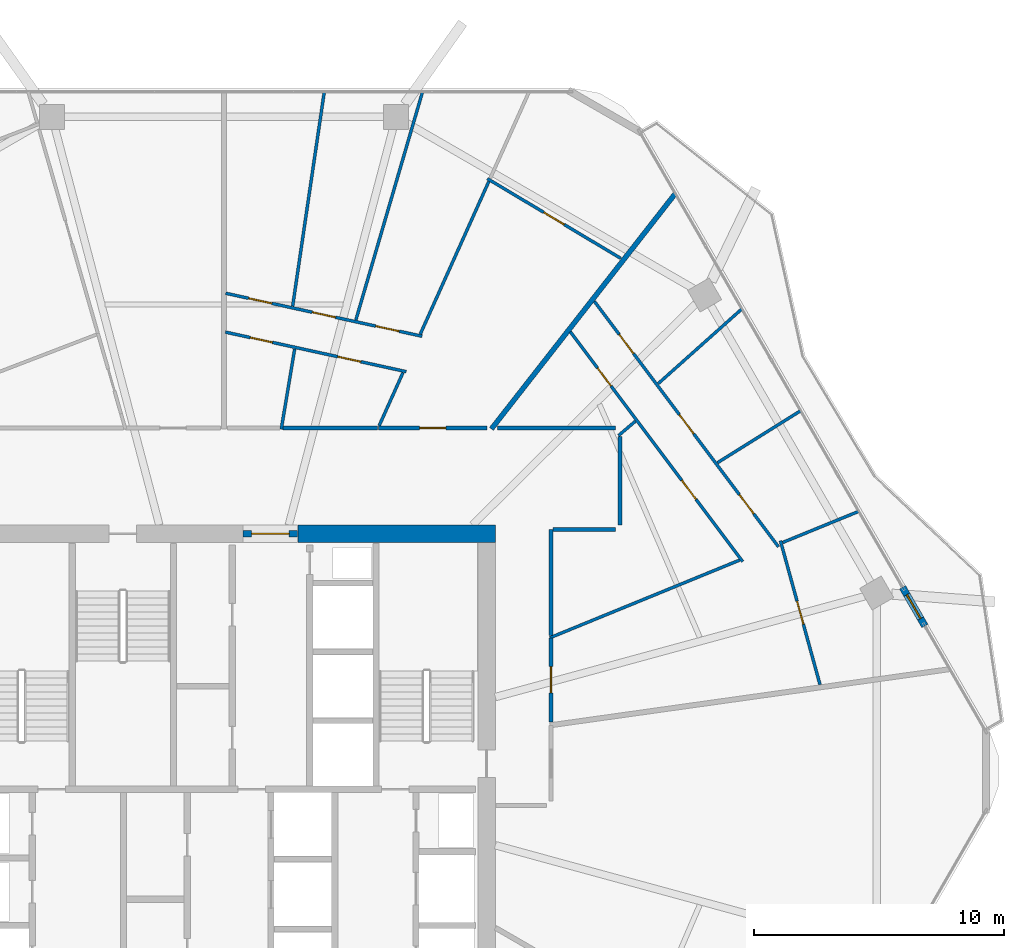
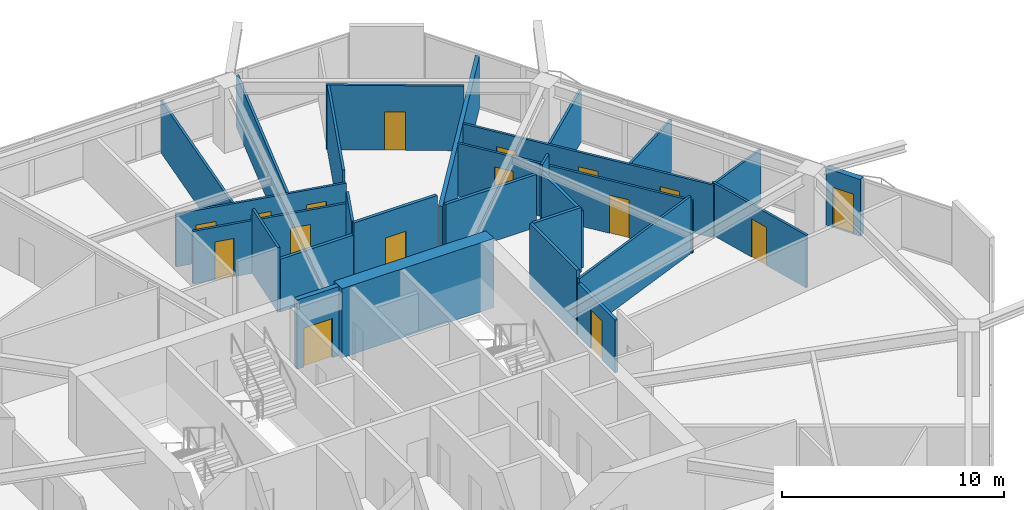
# One storey, part 22 of 26: 27 walls, 16 doors, 16 openings.
"""IFC4 building model written with IfcOpenShell, lengths in metres."""

from ifc_helpers import new_model, si_unit, direction, frame, frame_2d, origin, place, context, subcontext, project, spatial, rectangle, extrude, material, layer, layer_set, type_object, element, fill, save


model = new_model("IFC4")

# Units and contexts
model_context = context("Model", 3, precision=1e-05, world=origin(), true_north=direction((0.0, 1.0)))
body_context = subcontext(model_context, "Body", "Model", "MODEL_VIEW")
ifc_project = project(units=[si_unit("LENGTHUNIT", "METRE"), si_unit("AREAUNIT", "SQUARE_METRE"), si_unit("VOLUMEUNIT", "CUBIC_METRE"), si_unit("PLANEANGLEUNIT", "RADIAN"), si_unit("MASSUNIT", "GRAM", prefix="KILO")], contexts=[model_context])

# Site, building, storey
site_placement = place(None, origin())
site = spatial("IfcSite", under=ifc_project, at=site_placement, CompositionType="ELEMENT")
building_placement = place(site_placement, origin())
building = spatial("IfcBuilding", under=site, at=building_placement, Name="Zuhravey Tower", CompositionType="ELEMENT")
storey_placement = place(building_placement, frame((0.0, 0.0, 158.0)))
storey = spatial("IfcBuildingStorey", under=building, at=storey_placement, Name="L39", CompositionType="ELEMENT", Elevation=158.0)

# Wall
ifc_material_1 = material(Name="Concrete C60/75", Category="concrete")
ifc_layer_1 = layer(ifc_material_1, 0.699951171875)
ifc_layer_set_1 = layer_set([ifc_layer_1], Name="Concrete C60/75")
wall_type_1 = type_object("IfcWallType", Name="Core Shear Wall 700", PredefinedType="SHEAR", material=ifc_layer_set_1)
wall_1_placement = place(storey_placement, frame((46.85009765625, 41.5, 0.0), z_axis=(0.0, 0.0, 1.0), x_axis=(-1.0, 0.0, 0.0)))
element("IfcWall", 1, at=wall_1_placement, inside=storey, type_object=wall_type_1, Name="L39 North-East Core Shear Wall CW70", PredefinedType="SHEAR", context=body_context, shape_type="SweptSolid", body=[
    extrude(rectangle(XDim=7.900146484375, YDim=0.699951171875, at=frame_2d((3.9501953125, 0.0))), origin(), (0.0, 0.0, 1.0), 3.800048828125),
])

# Wall, opening, door
ifc_material_2 = material(Name="Gypsum fire-rated stud partition")
ifc_layer_2 = layer(ifc_material_2, 0.159912109375)
ifc_layer_set_2 = layer_set([ifc_layer_2], Name="Gypsum fire-rated stud partition")
wall_type_2 = type_object("IfcWallType", Name="Corridor Fire Partition 160", PredefinedType="PARTITIONING", material=ifc_layer_set_2)
wall_2_placement = place(storey_placement, frame((49.080078125, 33.97509765625, 0.0), z_axis=(0.0, 0.0, 1.0), x_axis=(0.0, 1.0, 0.0)))
wall_2 = element("IfcWall", 2, at=wall_2_placement, inside=storey, type_object=wall_type_2, Name="L39 IW16 Partition 023", PredefinedType="PARTITIONING", context=body_context, shape_type="SweptSolid", body=[
    extrude(rectangle(XDim=3.357177734375, YDim=0.159912109375, at=frame_2d((1.6787109375, 0.0))), origin(), (0.0, 0.0, 1.0), 2.89990234375),
])
opening_1_placement = place(wall_2_placement, frame((1.153564453125, 0.0, 0.0)))
opening_1 = element("IfcOpeningElement", 3, at=opening_1_placement, cuts=wall_2, Name="Opening APD1", PredefinedType="OPENING", context=body_context, shape_type="SweptSolid", body=[
    extrude(rectangle(XDim=1.050048828125, YDim=2.14990234375, at=frame_2d((0.52490234375, 1.074951171875))), frame((0.0, 0.092041015625, 0.0), z_axis=(0.0, -1.0, 0.0), x_axis=(1.0, 0.0, 0.0)), (0.0, 0.0, 1.0), 0.183837890625),
])
ifc_material_3 = material(Name="Solid-core oak fire-rated leaf")
door_type_1 = type_object("IfcDoorType", Name="Apartment Entrance Fire Door 1050x2150", OperationType="NOTDEFINED", PredefinedType="DOOR", material=ifc_material_3)
door_1_placement = place(opening_1_placement, frame((1.050048828125, 0.0, 0.0), z_axis=(0.0, 0.0, 1.0), x_axis=(-1.0, 0.0, 0.0)))
door_1 = element("IfcDoor", 4, at=door_1_placement, inside=storey, type_object=door_type_1, Name="L39 Door 023.1", OperationType="SINGLE_SWING_LEFT", OverallHeight=2.14990234375, OverallWidth=1.050048828125, PredefinedType="DOOR", context=body_context, shape_type="SweptSolid", body=[
    extrude(rectangle(XDim=1.050048828125, YDim=2.14990234375, at=frame_2d((0.52490234375, 1.074951171875))), frame((0.0, 0.02490234375, 0.0), z_axis=(0.0, -1.0, 0.0), x_axis=(1.0, 0.0, 0.0)), (0.0, 0.0, 1.0), 0.050048828125),
])
fill(opening_1, door_1)

wall_3_placement = place(storey_placement, frame((46.51025390625, 45.72998046875, 0.0), z_axis=(0.0, 0.0, 1.0), x_axis=(-1.0, 0.0, 0.0)))
wall_3 = element("IfcWall", 5, at=wall_3_placement, inside=storey, type_object=wall_type_2, Name="L39 IW16 Partition 027", PredefinedType="PARTITIONING", context=body_context, shape_type="SweptSolid", body=[
    extrude(rectangle(XDim=4.323486328125, YDim=0.159912109375, at=frame_2d((2.16162109375, 0.0))), origin(), (0.0, 0.0, 1.0), 3.550048828125),
])
opening_2_placement = place(wall_3_placement, frame((1.63671875, 0.0, 0.0)))
opening_2 = element("IfcOpeningElement", 6, at=opening_2_placement, cuts=wall_3, Name="Opening APD1", PredefinedType="OPENING", context=body_context, shape_type="SweptSolid", body=[
    extrude(rectangle(XDim=1.050048828125, YDim=2.14990234375, at=frame_2d((0.52490234375, 1.074951171875))), frame((0.0, 0.092041015625, 0.0), z_axis=(0.0, -1.0, 0.0), x_axis=(1.0, 0.0, 0.0)), (0.0, 0.0, 1.0), 0.183837890625),
])
door_2_placement = place(opening_2_placement, frame((1.050048828125, 0.0, 0.0), z_axis=(0.0, 0.0, 1.0), x_axis=(-1.0, 0.0, 0.0)))
door_2 = element("IfcDoor", 7, at=door_2_placement, inside=storey, type_object=door_type_1, Name="L39 Door 027.1", OperationType="SINGLE_SWING_RIGHT", OverallHeight=2.14990234375, OverallWidth=1.050048828125, PredefinedType="DOOR", context=body_context, shape_type="SweptSolid", body=[
    extrude(rectangle(XDim=1.050048828125, YDim=2.14990234375, at=frame_2d((0.52490234375, 1.074951171875))), frame((0.0, 0.02490234375, 0.0), z_axis=(0.0, -1.0, 0.0), x_axis=(1.0, 0.0, 0.0)), (0.0, 0.0, 1.0), 0.050048828125),
])
fill(opening_2, door_2)

# Walls
wall_4_placement = place(storey_placement, frame((49.080078125, 37.42724609375, 0.0), z_axis=(0.0, 0.0, 1.0), x_axis=(0.0, 1.0, 0.0)))
element("IfcWall", 8, at=wall_4_placement, inside=storey, type_object=wall_type_2, Name="L39 IW16 Partition 111", PredefinedType="PARTITIONING", context=body_context, shape_type="SweptSolid", body=[
    extrude(rectangle(XDim=4.24267578125, YDim=0.159912109375, at=frame_2d((2.121337890625, 0.0))), origin(), (0.0, 0.0, 1.0), 3.550048828125),
])
wall_5_placement = place(storey_placement, frame((51.830078125, 41.85009765625, 0.0), z_axis=(0.0, 0.0, 1.0), x_axis=(0.0, 1.0, 0.0)))
element("IfcWall", 9, at=wall_5_placement, inside=storey, type_object=wall_type_2, Name="L39 IW16 Partition 112", PredefinedType="PARTITIONING", context=body_context, shape_type="SweptSolid", body=[
    extrude(rectangle(XDim=3.527587890625, YDim=0.159912109375, at=frame_2d((1.763671875, 0.0))), origin(), (0.0, 0.0, 1.0), 3.14990234375),
])
wall_6_placement = place(storey_placement, frame((49.16796875, 41.669921875, 0.0), z_axis=(0.0, 0.0, 1.0), x_axis=(1.0, 0.0, 0.0)))
element("IfcWall", 10, at=wall_6_placement, inside=storey, type_object=wall_type_2, Name="L39 IW16 Partition 113", PredefinedType="PARTITIONING", context=body_context, shape_type="SweptSolid", body=[
    extrude(rectangle(XDim=2.48193359375, YDim=0.159912109375, at=frame_2d((1.240966796875, 0.0))), origin(), (0.0, 0.0, 1.0), 3.550048828125),
])
wall_7_placement = place(storey_placement, frame((51.64990234375, 45.72998046875, 0.0), z_axis=(0.0, 0.0, 1.0), x_axis=(-1.0, 0.0, 0.0)))
element("IfcWall", 11, at=wall_7_placement, inside=storey, type_object=wall_type_2, Name="L39 IW16 Partition 114", PredefinedType="PARTITIONING", context=body_context, shape_type="SweptSolid", body=[
    extrude(rectangle(XDim=4.702880859375, YDim=0.159912109375, at=frame_2d((2.3515625, 0.0))), origin(), (0.0, 0.0, 1.0), 2.89990234375),
])
wall_8_placement = place(storey_placement, frame((42.142822265625, 45.72998046875, 0.0), z_axis=(0.0, 0.0, 1.0), x_axis=(-1.0, 0.0, 0.0)))
element("IfcWall", 12, at=wall_8_placement, inside=storey, type_object=wall_type_2, Name="L39 IW16 Partition 115", PredefinedType="PARTITIONING", context=body_context, shape_type="SweptSolid", body=[
    extrude(rectangle(XDim=3.776611328125, YDim=0.159912109375, at=frame_2d((1.88818359375, 0.0))), origin(), (0.0, 0.0, 1.0), 2.89990234375),
])

# Wall, opening, door
ifc_material_4 = material(Name="Precast concrete C40/50", Category="concrete")
ifc_layer_3 = layer(ifc_material_4, 0.280029296875)
ifc_layer_set_3 = layer_set([ifc_layer_3], Name="Precast concrete C40/50")
wall_type_3 = type_object("IfcWallType", Name="Crown Architectural Wall 280", PredefinedType="SOLIDWALL", material=ifc_layer_set_3)
wall_9_placement = place(storey_placement, frame((63.14111328125, 39.3564453125, 0.0), z_axis=(0.0, 0.0, 1.0), x_axis=(0.500041240653, -0.866001592173, 0.0)))
wall_9 = element("IfcWall", 13, at=wall_9_placement, inside=storey, type_object=wall_type_3, Name="L39 Face 1 Facade Pier EW28-1", PredefinedType="SOLIDWALL", context=body_context, shape_type="SweptSolid", body=[
    extrude(rectangle(XDim=1.789794921875, YDim=0.280029296875, at=frame_2d((0.89501953125, 0.0))), origin(), (0.0, 0.0, 1.0), 3.1220703125),
])
opening_3_placement = place(wall_9_placement, frame((0.344970703125, 0.0, 0.0)))
opening_3 = element("IfcOpeningElement", 14, at=opening_3_placement, cuts=wall_9, Name="Opening BLD1", PredefinedType="OPENING", context=body_context, shape_type="SweptSolid", body=[
    extrude(rectangle(XDim=1.10009765625, YDim=2.199951171875, at=frame_2d((0.550048828125, 1.10009765625))), frame((0.0, 0.152099609375, 0.0), z_axis=(0.0, -1.0, 0.0), x_axis=(1.0, 0.0, 0.0)), (0.0, 0.0, 1.0), 0.303955078125),
])
ifc_material_5 = material(Name="Thermally broken aluminium and low-E glass", Category="aluminium")
door_type_2 = type_object("IfcDoorType", Name="Balcony & Sky-Tray Glazed Door 1100x2200", OperationType="NOTDEFINED", PredefinedType="DOOR", material=ifc_material_5)
door_3_placement = place(opening_3_placement, frame((1.10009765625, 0.0, 0.0), z_axis=(0.0, 0.0, 1.0), x_axis=(-1.0, 0.0, 0.0)))
door_3 = element("IfcDoor", 15, at=door_3_placement, inside=storey, type_object=door_type_2, Name="L39 Face 1 Wave Balcony Door", OperationType="SINGLE_SWING_RIGHT", OverallHeight=2.199951171875, OverallWidth=1.10009765625, PredefinedType="DOOR", context=body_context, shape_type="SweptSolid", body=[
    extrude(rectangle(XDim=1.10009765625, YDim=2.199951171875, at=frame_2d((0.550048828125, 1.10009765625))), frame((0.0, 0.02490234375, 0.0), z_axis=(0.0, -1.0, 0.0), x_axis=(1.0, 0.0, 0.0)), (0.0, 0.0, 1.0), 0.050048828125),
])
fill(opening_3, door_3)

ifc_material_6 = material(Name="Concrete C50/60", Category="concrete")
ifc_layer_4 = layer(ifc_material_6, 0.25)
ifc_layer_set_4 = layer_set([ifc_layer_4], Name="Concrete C50/60")
wall_type_4 = type_object("IfcWallType", Name="Firefighting Shaft & Stair Wall 250", PredefinedType="SOLIDWALL", material=ifc_layer_set_4)
wall_10_placement = place(storey_placement, frame((36.760009765625, 41.5, 0.0), z_axis=(0.0, 0.0, 1.0), x_axis=(1.0, 0.0, 0.0)))
wall_10 = element("IfcWall", 16, at=wall_10_placement, inside=storey, type_object=wall_type_4, Name="L39 FW25 Shaft Wall 002", PredefinedType="SOLIDWALL", context=body_context, shape_type="SweptSolid", body=[
    extrude(rectangle(XDim=2.179931640625, YDim=0.25, at=frame_2d((1.08984375, 0.0))), origin(), (0.0, 0.0, 1.0), 3.800048828125),
])
opening_4_placement = place(wall_10_placement, frame((0.340087890625, 0.0, 0.0)))
opening_4 = element("IfcOpeningElement", 17, at=opening_4_placement, cuts=wall_10, Name="Opening FFD1", PredefinedType="OPENING", context=body_context, shape_type="SweptSolid", body=[
    extrude(rectangle(XDim=1.5, YDim=2.14990234375, at=frame_2d((0.75, 1.074951171875))), frame((0.0, 0.136962890625, 0.0), z_axis=(0.0, -1.0, 0.0), x_axis=(1.0, 0.0, 0.0)), (0.0, 0.0, 1.0), 0.27392578125),
])
ifc_material_7 = material(Name="Galvanised fire-rated steel leaf", Category="steel")
door_type_3 = type_object("IfcDoorType", Name="Firefighting Lobby Double Door 1500x2150", OperationType="DOUBLE_DOOR_SINGLE_SWING", PredefinedType="DOOR", material=ifc_material_7)
door_4_placement = place(opening_4_placement, origin())
door_4 = element("IfcDoor", 18, at=door_4_placement, inside=storey, type_object=door_type_3, Name="L39 North Lift Lobby Exit Door", OperationType="DOUBLE_DOOR_SINGLE_SWING", OverallHeight=2.14990234375, OverallWidth=1.5, PredefinedType="DOOR", context=body_context, shape_type="SweptSolid", body=[
    extrude(rectangle(XDim=1.5, YDim=2.14990234375, at=frame_2d((0.75, 1.074951171875))), frame((0.0, 0.02490234375, 0.0), z_axis=(0.0, -1.0, 0.0), x_axis=(1.0, 0.0, 0.0)), (0.0, 0.0, 1.0), 0.050048828125),
])
fill(opening_4, door_4)

# Wall
ifc_material_8 = material(Name="Gypsum double-stud party assembly")
ifc_layer_5 = layer(ifc_material_8, 0.199951171875)
ifc_layer_set_5 = layer_set([ifc_layer_5], Name="Gypsum double-stud party assembly")
wall_type_5 = type_object("IfcWallType", Name="Inter-Tenancy Party Wall 200", PredefinedType="PARTITIONING", material=ifc_layer_set_5)
wall_11_placement = place(storey_placement, frame((46.69580078125, 45.68994140625, 0.0), z_axis=(0.0, 0.0, 1.0), x_axis=(0.615655544117, 0.788015387539, 0.0)))
element("IfcWall", 19, at=wall_11_placement, inside=storey, type_object=wall_type_5, Name="L39 IW20 Partition 068", PredefinedType="PARTITIONING", context=body_context, shape_type="SweptSolid", body=[
    extrude(rectangle(XDim=11.945068359375, YDim=0.199951171875, at=frame_2d((5.97265625, 0.0))), origin(), (0.0, 0.0, 1.0), 2.8701171875),
])

# Wall, opening, door
ifc_material_9 = material(Name="Gypsum metal-stud partition")
ifc_layer_6 = layer(ifc_material_9, 0.1201171875)
ifc_layer_set_6 = layer_set([ifc_layer_6], Name="Gypsum metal-stud partition")
wall_type_6 = type_object("IfcWallType", Name="Unit Internal Partition 120", PredefinedType="PARTITIONING", material=ifc_layer_set_6)
wall_12_placement = place(storey_placement, frame((59.840087890625, 35.4619140625, 0.0), z_axis=(0.0, 0.0, 1.0), x_axis=(-0.265206859365, 0.964191537894, 0.0)))
wall_12 = element("IfcWall", 20, at=wall_12_placement, inside=storey, type_object=wall_type_6, Name="L39 IW12 Partition 020", PredefinedType="PARTITIONING", context=body_context, shape_type="SweptSolid", body=[
    extrude(rectangle(XDim=5.969970703125, YDim=0.1201171875, at=frame_2d((2.98486328125, 0.0))), origin(), (0.0, 0.0, 1.0), 2.89990234375),
])
opening_5_placement = place(wall_12_placement, frame((2.510009765625, 0.0, 0.0)))
opening_5 = element("IfcOpeningElement", 21, at=opening_5_placement, cuts=wall_12, Name="Opening IND1", PredefinedType="OPENING", context=body_context, shape_type="SweptSolid", body=[
    extrude(rectangle(XDim=0.949951171875, YDim=2.10009765625, at=frame_2d((0.47509765625, 1.050048828125))), frame((0.0, 0.072021484375, 0.0), z_axis=(0.0, -1.0, 0.0), x_axis=(1.0, 0.0, 0.0)), (0.0, 0.0, 1.0), 0.14404296875),
])
ifc_material_10 = material(Name="Painted engineered timber leaf", Category="wood")
door_type_4 = type_object("IfcDoorType", Name="Internal Room & Bedroom Door 950x2100", OperationType="NOTDEFINED", PredefinedType="DOOR", material=ifc_material_10)
door_5_placement = place(opening_5_placement, frame((0.949951171875, 0.0, 0.0), z_axis=(0.0, 0.0, 1.0), x_axis=(-1.0, 0.0, 0.0)))
door_5 = element("IfcDoor", 22, at=door_5_placement, inside=storey, type_object=door_type_4, Name="Apartment L39-01 Family Study Door", OperationType="SINGLE_SWING_LEFT", OverallHeight=2.10009765625, OverallWidth=0.949951171875, PredefinedType="DOOR", context=body_context, shape_type="SweptSolid", body=[
    extrude(rectangle(XDim=0.949951171875, YDim=2.10009765625, at=frame_2d((0.47509765625, 1.050048828125))), frame((0.0, 0.02490234375, 0.0), z_axis=(0.0, -1.0, 0.0), x_axis=(1.0, 0.0, 0.0)), (0.0, 0.0, 1.0), 0.050048828125),
])
fill(opening_5, door_5)

# Wall, openings, doors
wall_13_placement = place(storey_placement, frame((56.748291015625, 40.384521484375, 0.0), z_axis=(0.0, 0.0, 1.0), x_axis=(-0.600156370002, 0.799882698616, 0.0)))
wall_13 = element("IfcWall", 23, at=wall_13_placement, inside=storey, type_object=wall_type_6, Name="L39 IW12 Partition 021", PredefinedType="PARTITIONING", context=body_context, shape_type="SweptSolid", body=[
    extrude(rectangle(XDim=11.490234375, YDim=0.1201171875, at=frame_2d((5.7451171875, 0.0))), origin(), (0.0, 0.0, 1.0), 2.89990234375),
])
opening_6_placement = place(wall_13_placement, frame((3.1123046875, 0.0, 0.0)))
opening_6 = element("IfcOpeningElement", 24, at=opening_6_placement, cuts=wall_13, Name="Opening IND1", PredefinedType="OPENING", context=body_context, shape_type="SweptSolid", body=[
    extrude(rectangle(XDim=0.949951171875, YDim=2.10009765625, at=frame_2d((0.47509765625, 1.050048828125))), frame((0.0, 0.072021484375, 0.0), z_axis=(0.0, -1.0, 0.0), x_axis=(1.0, 0.0, 0.0)), (0.0, 0.0, 1.0), 0.14404296875),
])
opening_7_placement = place(wall_13_placement, frame((8.779052734375, 0.0, 0.0)))
opening_7 = element("IfcOpeningElement", 25, at=opening_7_placement, cuts=wall_13, Name="Opening WCD1", PredefinedType="OPENING", context=body_context, shape_type="SweptSolid", body=[
    extrude(rectangle(XDim=0.89990234375, YDim=2.10009765625, at=frame_2d((0.449951171875, 1.050048828125))), frame((0.0, 0.072021484375, 0.0), z_axis=(0.0, -1.0, 0.0), x_axis=(1.0, 0.0, 0.0)), (0.0, 0.0, 1.0), 0.14404296875),
])
ifc_material_11 = material(Name="Moisture-resistant timber leaf", Category="wood")
door_type_5 = type_object("IfcDoorType", Name="Bathroom & WC Internal Door 900x2100", OperationType="NOTDEFINED", PredefinedType="DOOR", material=ifc_material_11)
door_6_placement = place(opening_7_placement, origin())
door_6 = element("IfcDoor", 26, at=door_6_placement, inside=storey, type_object=door_type_5, Name="Apartment L39-01 Bathroom Door", OperationType="SINGLE_SWING_LEFT", OverallHeight=2.10009765625, OverallWidth=0.89990234375, PredefinedType="DOOR", context=body_context, shape_type="SweptSolid", body=[
    extrude(rectangle(XDim=0.89990234375, YDim=2.10009765625, at=frame_2d((0.449951171875, 1.050048828125))), frame((0.0, 0.02490234375, 0.0), z_axis=(0.0, -1.0, 0.0), x_axis=(1.0, 0.0, 0.0)), (0.0, 0.0, 1.0), 0.050048828125),
])
fill(opening_7, door_6)
door_7_placement = place(opening_6_placement, origin())
door_7 = element("IfcDoor", 27, at=door_7_placement, inside=storey, type_object=door_type_4, Name="Apartment L39-01 Kitchen Door", OperationType="SINGLE_SWING_RIGHT", OverallHeight=2.10009765625, OverallWidth=0.949951171875, PredefinedType="DOOR", context=body_context, shape_type="SweptSolid", body=[
    extrude(rectangle(XDim=0.949951171875, YDim=2.10009765625, at=frame_2d((0.47509765625, 1.050048828125))), frame((0.0, 0.02490234375, 0.0), z_axis=(0.0, -1.0, 0.0), x_axis=(1.0, 0.0, 0.0)), (0.0, 0.0, 1.0), 0.050048828125),
])
fill(opening_6, door_7)

wall_14_placement = place(storey_placement, frame((58.182861328125, 40.9716796875, 0.0), z_axis=(0.0, 0.0, 1.0), x_axis=(-0.600136851624, 0.79989734299, 0.0)))
wall_14 = element("IfcWall", 28, at=wall_14_placement, inside=storey, type_object=wall_type_6, Name="L39 IW12 Partition 022", PredefinedType="PARTITIONING", context=body_context, shape_type="SweptSolid", body=[
    extrude(rectangle(XDim=12.27294921875, YDim=0.1201171875, at=frame_2d((6.136474609375, 0.0))), origin(), (0.0, 0.0, 1.0), 2.89990234375),
])
opening_8_placement = place(wall_14_placement, frame((1.6572265625, 0.0, 0.0)))
opening_8 = element("IfcOpeningElement", 29, at=opening_8_placement, cuts=wall_14, Name="Opening IND1", PredefinedType="OPENING", context=body_context, shape_type="SweptSolid", body=[
    extrude(rectangle(XDim=0.949951171875, YDim=2.10009765625, at=frame_2d((0.47509765625, 1.050048828125))), frame((0.0, 0.072021484375, 0.0), z_axis=(0.0, -1.0, 0.0), x_axis=(1.0, 0.0, 0.0)), (0.0, 0.0, 1.0), 0.14404296875),
])
opening_9_placement = place(wall_14_placement, frame((5.66162109375, 0.0, 0.0)))
opening_9 = element("IfcOpeningElement", 30, at=opening_9_placement, cuts=wall_14, Name="Opening IND1", PredefinedType="OPENING", context=body_context, shape_type="SweptSolid", body=[
    extrude(rectangle(XDim=0.949951171875, YDim=2.10009765625, at=frame_2d((0.47509765625, 1.050048828125))), frame((0.0, 0.072021484375, 0.0), z_axis=(0.0, -1.0, 0.0), x_axis=(1.0, 0.0, 0.0)), (0.0, 0.0, 1.0), 0.14404296875),
])
opening_10_placement = place(wall_14_placement, frame((9.665771484375, 0.0, 0.0)))
opening_10 = element("IfcOpeningElement", 31, at=opening_10_placement, cuts=wall_14, Name="Opening IND1", PredefinedType="OPENING", context=body_context, shape_type="SweptSolid", body=[
    extrude(rectangle(XDim=0.949951171875, YDim=2.10009765625, at=frame_2d((0.47509765625, 1.050048828125))), frame((0.0, 0.072021484375, 0.0), z_axis=(0.0, -1.0, 0.0), x_axis=(1.0, 0.0, 0.0)), (0.0, 0.0, 1.0), 0.14404296875),
])
door_8_placement = place(opening_8_placement, frame((0.949951171875, 0.0, 0.0), z_axis=(0.0, 0.0, 1.0), x_axis=(-1.0, 0.0, 0.0)))
door_8 = element("IfcDoor", 32, at=door_8_placement, inside=storey, type_object=door_type_4, Name="Apartment L39-01 Bedroom 1 Door", OperationType="SINGLE_SWING_RIGHT", OverallHeight=2.10009765625, OverallWidth=0.949951171875, PredefinedType="DOOR", context=body_context, shape_type="SweptSolid", body=[
    extrude(rectangle(XDim=0.949951171875, YDim=2.10009765625, at=frame_2d((0.47509765625, 1.050048828125))), frame((0.0, 0.02490234375, 0.0), z_axis=(0.0, -1.0, 0.0), x_axis=(1.0, 0.0, 0.0)), (0.0, 0.0, 1.0), 0.050048828125),
])
fill(opening_8, door_8)
door_9_placement = place(opening_9_placement, frame((0.949951171875, 0.0, 0.0), z_axis=(0.0, 0.0, 1.0), x_axis=(-1.0, 0.0, 0.0)))
door_9 = element("IfcDoor", 33, at=door_9_placement, inside=storey, type_object=door_type_4, Name="Apartment L39-01 Bedroom 2 Door", OperationType="SINGLE_SWING_LEFT", OverallHeight=2.10009765625, OverallWidth=0.949951171875, PredefinedType="DOOR", context=body_context, shape_type="SweptSolid", body=[
    extrude(rectangle(XDim=0.949951171875, YDim=2.10009765625, at=frame_2d((0.47509765625, 1.050048828125))), frame((0.0, 0.02490234375, 0.0), z_axis=(0.0, -1.0, 0.0), x_axis=(1.0, 0.0, 0.0)), (0.0, 0.0, 1.0), 0.050048828125),
])
fill(opening_9, door_9)
door_10_placement = place(opening_10_placement, frame((0.949951171875, 0.0, 0.0), z_axis=(0.0, 0.0, 1.0), x_axis=(-1.0, 0.0, 0.0)))
door_10 = element("IfcDoor", 34, at=door_10_placement, inside=storey, type_object=door_type_4, Name="Apartment L39-01 Bedroom 3 Door", OperationType="SINGLE_SWING_RIGHT", OverallHeight=2.10009765625, OverallWidth=0.949951171875, PredefinedType="DOOR", context=body_context, shape_type="SweptSolid", body=[
    extrude(rectangle(XDim=0.949951171875, YDim=2.10009765625, at=frame_2d((0.47509765625, 1.050048828125))), frame((0.0, 0.02490234375, 0.0), z_axis=(0.0, -1.0, 0.0), x_axis=(1.0, 0.0, 0.0)), (0.0, 0.0, 1.0), 0.050048828125),
])
fill(opening_10, door_10)

# Wall, opening, door
wall_15_placement = place(storey_placement, frame((51.8681640625, 52.515625, 0.0), z_axis=(0.0, 0.0, 1.0), x_axis=(-0.85861051464, 0.512628505012, 0.0)))
wall_15 = element("IfcWall", 35, at=wall_15_placement, inside=storey, type_object=wall_type_6, Name="L39 IW12 Partition 024", PredefinedType="PARTITIONING", context=body_context, shape_type="SweptSolid", body=[
    extrude(rectangle(XDim=6.214599609375, YDim=0.1201171875, at=frame_2d((3.107421875, 0.0))), origin(), (0.0, 0.0, 1.0), 3.550048828125),
])
opening_11_placement = place(wall_15_placement, frame((2.63232421875, 0.0, 0.0)))
opening_11 = element("IfcOpeningElement", 36, at=opening_11_placement, cuts=wall_15, Name="Opening IND1", PredefinedType="OPENING", context=body_context, shape_type="SweptSolid", body=[
    extrude(rectangle(XDim=0.949951171875, YDim=2.10009765625, at=frame_2d((0.47509765625, 1.050048828125))), frame((0.0, 0.072021484375, 0.0), z_axis=(0.0, -1.0, 0.0), x_axis=(1.0, 0.0, 0.0)), (0.0, 0.0, 1.0), 0.14404296875),
])
door_11_placement = place(opening_11_placement, frame((0.949951171875, 0.0, 0.0), z_axis=(0.0, 0.0, 1.0), x_axis=(-1.0, 0.0, 0.0)))
door_11 = element("IfcDoor", 37, at=door_11_placement, inside=storey, type_object=door_type_4, Name="Apartment L39-02 Family Study Door", OperationType="SINGLE_SWING_RIGHT", OverallHeight=2.10009765625, OverallWidth=0.949951171875, PredefinedType="DOOR", context=body_context, shape_type="SweptSolid", body=[
    extrude(rectangle(XDim=0.949951171875, YDim=2.10009765625, at=frame_2d((0.47509765625, 1.050048828125))), frame((0.0, 0.02490234375, 0.0), z_axis=(0.0, -1.0, 0.0), x_axis=(1.0, 0.0, 0.0)), (0.0, 0.0, 1.0), 0.050048828125),
])
fill(opening_11, door_11)

# Wall, openings, doors
wall_16_placement = place(storey_placement, frame((43.28515625, 47.981201171875, 0.0), z_axis=(0.0, 0.0, 1.0), x_axis=(-0.976898726502, 0.213702779952, 0.0)))
wall_16 = element("IfcWall", 38, at=wall_16_placement, inside=storey, type_object=wall_type_6, Name="L39 IW12 Partition 025", PredefinedType="PARTITIONING", context=body_context, shape_type="SweptSolid", body=[
    extrude(rectangle(XDim=7.40283203125, YDim=0.1201171875, at=frame_2d((3.701416015625, 0.0))), origin(), (0.0, 0.0, 1.0), 2.89990234375),
])
opening_12_placement = place(wall_16_placement, frame((1.852783203125, 0.0, 0.0)))
opening_12 = element("IfcOpeningElement", 39, at=opening_12_placement, cuts=wall_16, Name="Opening IND1", PredefinedType="OPENING", context=body_context, shape_type="SweptSolid", body=[
    extrude(rectangle(XDim=0.949951171875, YDim=2.10009765625, at=frame_2d((0.47509765625, 1.050048828125))), frame((0.0, 0.072021484375, 0.0), z_axis=(0.0, -1.0, 0.0), x_axis=(1.0, 0.0, 0.0)), (0.0, 0.0, 1.0), 0.14404296875),
])
opening_13_placement = place(wall_16_placement, frame((5.47705078125, 0.0, 0.0)))
opening_13 = element("IfcOpeningElement", 40, at=opening_13_placement, cuts=wall_16, Name="Opening WCD1", PredefinedType="OPENING", context=body_context, shape_type="SweptSolid", body=[
    extrude(rectangle(XDim=0.89990234375, YDim=2.10009765625, at=frame_2d((0.449951171875, 1.050048828125))), frame((0.0, 0.072021484375, 0.0), z_axis=(0.0, -1.0, 0.0), x_axis=(1.0, 0.0, 0.0)), (0.0, 0.0, 1.0), 0.14404296875),
])
door_12_placement = place(opening_13_placement, origin())
door_12 = element("IfcDoor", 41, at=door_12_placement, inside=storey, type_object=door_type_5, Name="Apartment L39-02 Bathroom Door", OperationType="SINGLE_SWING_RIGHT", OverallHeight=2.10009765625, OverallWidth=0.89990234375, PredefinedType="DOOR", context=body_context, shape_type="SweptSolid", body=[
    extrude(rectangle(XDim=0.89990234375, YDim=2.10009765625, at=frame_2d((0.449951171875, 1.050048828125))), frame((0.0, 0.02490234375, 0.0), z_axis=(0.0, -1.0, 0.0), x_axis=(1.0, 0.0, 0.0)), (0.0, 0.0, 1.0), 0.050048828125),
])
fill(opening_13, door_12)
door_13_placement = place(opening_12_placement, origin())
door_13 = element("IfcDoor", 42, at=door_13_placement, inside=storey, type_object=door_type_4, Name="Apartment L39-02 Kitchen Door", OperationType="SINGLE_SWING_LEFT", OverallHeight=2.10009765625, OverallWidth=0.949951171875, PredefinedType="DOOR", context=body_context, shape_type="SweptSolid", body=[
    extrude(rectangle(XDim=0.949951171875, YDim=2.10009765625, at=frame_2d((0.47509765625, 1.050048828125))), frame((0.0, 0.02490234375, 0.0), z_axis=(0.0, -1.0, 0.0), x_axis=(1.0, 0.0, 0.0)), (0.0, 0.0, 1.0), 0.050048828125),
])
fill(opening_12, door_13)

wall_17_placement = place(storey_placement, frame((43.921142578125, 49.39794921875, 0.0), z_axis=(0.0, 0.0, 1.0), x_axis=(-0.976896253364, 0.213714085082, 0.0)))
wall_17 = element("IfcWall", 43, at=wall_17_placement, inside=storey, type_object=wall_type_6, Name="L39 IW12 Partition 026", PredefinedType="PARTITIONING", context=body_context, shape_type="SweptSolid", body=[
    extrude(rectangle(XDim=8.0400390625, YDim=0.1201171875, at=frame_2d((4.02001953125, 0.0))), origin(), (0.0, 0.0, 1.0), 2.89990234375),
])
opening_14_placement = place(wall_17_placement, frame((0.940185546875, 0.0, 0.0)))
opening_14 = element("IfcOpeningElement", 44, at=opening_14_placement, cuts=wall_17, Name="Opening IND1", PredefinedType="OPENING", context=body_context, shape_type="SweptSolid", body=[
    extrude(rectangle(XDim=0.949951171875, YDim=2.10009765625, at=frame_2d((0.47509765625, 1.050048828125))), frame((0.0, 0.072021484375, 0.0), z_axis=(0.0, -1.0, 0.0), x_axis=(1.0, 0.0, 0.0)), (0.0, 0.0, 1.0), 0.14404296875),
])
opening_15_placement = place(wall_17_placement, frame((3.544921875, 0.0, 0.0)))
opening_15 = element("IfcOpeningElement", 45, at=opening_15_placement, cuts=wall_17, Name="Opening IND1", PredefinedType="OPENING", context=body_context, shape_type="SweptSolid", body=[
    extrude(rectangle(XDim=0.949951171875, YDim=2.10009765625, at=frame_2d((0.47509765625, 1.050048828125))), frame((0.0, 0.072021484375, 0.0), z_axis=(0.0, -1.0, 0.0), x_axis=(1.0, 0.0, 0.0)), (0.0, 0.0, 1.0), 0.14404296875),
])
opening_16_placement = place(wall_17_placement, frame((6.14990234375, 0.0, 0.0)))
opening_16 = element("IfcOpeningElement", 46, at=opening_16_placement, cuts=wall_17, Name="Opening IND1", PredefinedType="OPENING", context=body_context, shape_type="SweptSolid", body=[
    extrude(rectangle(XDim=0.949951171875, YDim=2.10009765625, at=frame_2d((0.47509765625, 1.050048828125))), frame((0.0, 0.072021484375, 0.0), z_axis=(0.0, -1.0, 0.0), x_axis=(1.0, 0.0, 0.0)), (0.0, 0.0, 1.0), 0.14404296875),
])
door_14_placement = place(opening_14_placement, frame((0.949951171875, 0.0, 0.0), z_axis=(0.0, 0.0, 1.0), x_axis=(-1.0, 0.0, 0.0)))
door_14 = element("IfcDoor", 47, at=door_14_placement, inside=storey, type_object=door_type_4, Name="Apartment L39-02 Bedroom 1 Door", OperationType="SINGLE_SWING_LEFT", OverallHeight=2.10009765625, OverallWidth=0.949951171875, PredefinedType="DOOR", context=body_context, shape_type="SweptSolid", body=[
    extrude(rectangle(XDim=0.949951171875, YDim=2.10009765625, at=frame_2d((0.47509765625, 1.050048828125))), frame((0.0, 0.02490234375, 0.0), z_axis=(0.0, -1.0, 0.0), x_axis=(1.0, 0.0, 0.0)), (0.0, 0.0, 1.0), 0.050048828125),
])
fill(opening_14, door_14)
door_15_placement = place(opening_15_placement, frame((0.949951171875, 0.0, 0.0), z_axis=(0.0, 0.0, 1.0), x_axis=(-1.0, 0.0, 0.0)))
door_15 = element("IfcDoor", 48, at=door_15_placement, inside=storey, type_object=door_type_4, Name="Apartment L39-02 Bedroom 2 Door", OperationType="SINGLE_SWING_RIGHT", OverallHeight=2.10009765625, OverallWidth=0.949951171875, PredefinedType="DOOR", context=body_context, shape_type="SweptSolid", body=[
    extrude(rectangle(XDim=0.949951171875, YDim=2.10009765625, at=frame_2d((0.47509765625, 1.050048828125))), frame((0.0, 0.02490234375, 0.0), z_axis=(0.0, -1.0, 0.0), x_axis=(1.0, 0.0, 0.0)), (0.0, 0.0, 1.0), 0.050048828125),
])
fill(opening_15, door_15)
door_16_placement = place(opening_16_placement, frame((0.949951171875, 0.0, 0.0), z_axis=(0.0, 0.0, 1.0), x_axis=(-1.0, 0.0, 0.0)))
door_16 = element("IfcDoor", 49, at=door_16_placement, inside=storey, type_object=door_type_4, Name="Apartment L39-02 Bedroom 3 Door", OperationType="SINGLE_SWING_LEFT", OverallHeight=2.10009765625, OverallWidth=0.949951171875, PredefinedType="DOOR", context=body_context, shape_type="SweptSolid", body=[
    extrude(rectangle(XDim=0.949951171875, YDim=2.10009765625, at=frame_2d((0.47509765625, 1.050048828125))), frame((0.0, 0.02490234375, 0.0), z_axis=(0.0, -1.0, 0.0), x_axis=(1.0, 0.0, 0.0)), (0.0, 0.0, 1.0), 0.050048828125),
])
fill(opening_16, door_16)

# Walls
wall_18_placement = place(storey_placement, frame((51.780029296875, 45.424560546875, 0.0), z_axis=(0.0, 0.0, 1.0), x_axis=(0.761652645913, 0.647985529911, 0.0)))
element("IfcWall", 50, at=wall_18_placement, inside=storey, type_object=wall_type_6, Name="L39 IW12 Partition 063", PredefinedType="PARTITIONING", context=body_context, shape_type="SweptSolid", body=[
    extrude(rectangle(XDim=0.8828125, YDim=0.1201171875, at=frame_2d((0.44140625, 0.0))), origin(), (0.0, 0.0, 1.0), 3.550048828125),
])
wall_19_placement = place(storey_placement, frame((55.741455078125, 44.339111328125, 0.0), z_axis=(0.0, 0.0, 1.0), x_axis=(0.847998304005, 0.529998940003, 0.0)))
element("IfcWall", 51, at=wall_19_placement, inside=storey, type_object=wall_type_6, Name="L39 IW12 Partition 064", PredefinedType="PARTITIONING", context=body_context, shape_type="SweptSolid", body=[
    extrude(rectangle(XDim=3.92919921875, YDim=0.1201171875, at=frame_2d((1.964599609375, 0.0))), origin(), (0.0, 0.0, 1.0), 2.8701171875),
])
wall_20_placement = place(storey_placement, frame((53.36767578125, 47.5029296875, 0.0), z_axis=(0.0, 0.0, 1.0), x_axis=(0.746002225815, 0.665943450361, 0.0)))
element("IfcWall", 52, at=wall_20_placement, inside=storey, type_object=wall_type_6, Name="L39 IW12 Partition 065", PredefinedType="PARTITIONING", context=body_context, shape_type="SweptSolid", body=[
    extrude(rectangle(XDim=4.494873046875, YDim=0.1201171875, at=frame_2d((2.24755859375, 0.0))), origin(), (0.0, 0.0, 1.0), 2.8701171875),
])
wall_21_placement = place(storey_placement, frame((49.0322265625, 37.334228515625, 0.0), z_axis=(0.0, 0.0, 1.0), x_axis=(0.92547579993, 0.378806736666, 0.0)))
element("IfcWall", 53, at=wall_21_placement, inside=storey, type_object=wall_type_6, Name="L39 IW12 Partition 066", PredefinedType="PARTITIONING", context=body_context, shape_type="SweptSolid", body=[
    extrude(rectangle(XDim=8.199951171875, YDim=0.1201171875, at=frame_2d((4.10009765625, 0.0))), origin(), (0.0, 0.0, 1.0), 3.14990234375),
])
wall_22_placement = place(storey_placement, frame((58.346923828125, 41.14697265625, 0.0), z_axis=(0.0, 0.0, 1.0), x_axis=(0.925495037652, 0.378759732919, 0.0)))
element("IfcWall", 54, at=wall_22_placement, inside=storey, type_object=wall_type_6, Name="L39 IW12 Partition 067", PredefinedType="PARTITIONING", context=body_context, shape_type="SweptSolid", body=[
    extrude(rectangle(XDim=3.29638671875, YDim=0.1201171875, at=frame_2d((1.648193359375, 0.0))), origin(), (0.0, 0.0, 1.0), 2.8701171875),
])
wall_23_placement = place(storey_placement, frame((38.288818359375, 45.679931640625, 0.0), z_axis=(0.0, 0.0, 1.0), x_axis=(0.165019864142, 0.986290243508, 0.0)))
element("IfcWall", 55, at=wall_23_placement, inside=storey, type_object=wall_type_6, Name="L39 IW12 Partition 069", PredefinedType="PARTITIONING", context=body_context, shape_type="SweptSolid", body=[
    extrude(rectangle(XDim=3.251953125, YDim=0.1201171875, at=frame_2d((1.6259765625, 0.0))), origin(), (0.0, 0.0, 1.0), 3.550048828125),
])
wall_24_placement = place(storey_placement, frame((41.272705078125, 50.046875, 0.0), z_axis=(0.0, 0.0, 1.0), x_axis=(0.280455502413, 0.959867027856, 0.0)))
element("IfcWall", 56, at=wall_24_placement, inside=storey, type_object=wall_type_6, Name="L39 IW12 Partition 070", PredefinedType="PARTITIONING", context=body_context, shape_type="SweptSolid", body=[
    extrude(rectangle(XDim=9.528564453125, YDim=0.1201171875, at=frame_2d((4.76416015625, 0.0))), origin(), (0.0, 0.0, 1.0), 2.8701171875),
])
wall_25_placement = place(storey_placement, frame((38.744384765625, 50.60009765625, 0.0), z_axis=(0.0, 0.0, 1.0), x_axis=(0.145960873314, 0.989290363574, 0.0)))
element("IfcWall", 57, at=wall_25_placement, inside=storey, type_object=wall_type_6, Name="L39 IW12 Partition 071", PredefinedType="PARTITIONING", context=body_context, shape_type="SweptSolid", body=[
    extrude(rectangle(XDim=8.68603515625, YDim=0.1201171875, at=frame_2d((4.343017578125, 0.0))), origin(), (0.0, 0.0, 1.0), 2.8701171875),
])
wall_26_placement = place(storey_placement, frame((42.204345703125, 45.818115234375, 0.0), z_axis=(0.0, 0.0, 1.0), x_axis=(0.409661727666, 0.91223750684, 0.0)))
element("IfcWall", 58, at=wall_26_placement, inside=storey, type_object=wall_type_6, Name="L39 IW12 Partition 072", PredefinedType="PARTITIONING", context=body_context, shape_type="SweptSolid", body=[
    extrude(rectangle(XDim=2.325439453125, YDim=0.1201171875, at=frame_2d((1.16259765625, 0.0))), origin(), (0.0, 0.0, 1.0), 3.550048828125),
])
wall_27_placement = place(storey_placement, frame((43.849853515625, 49.483154296875, 0.0), z_axis=(0.0, 0.0, 1.0), x_axis=(0.409625724798, 0.912253673922, 0.0)))
element("IfcWall", 59, at=wall_27_placement, inside=storey, type_object=wall_type_6, Name="L39 IW12 Partition 073", PredefinedType="PARTITIONING", context=body_context, shape_type="SweptSolid", body=[
    extrude(rectangle(XDim=6.69140625, YDim=0.1201171875, at=frame_2d((3.345703125, 0.0))), origin(), (0.0, 0.0, 1.0), 3.550048828125),
])

save(model, "model.ifc")
